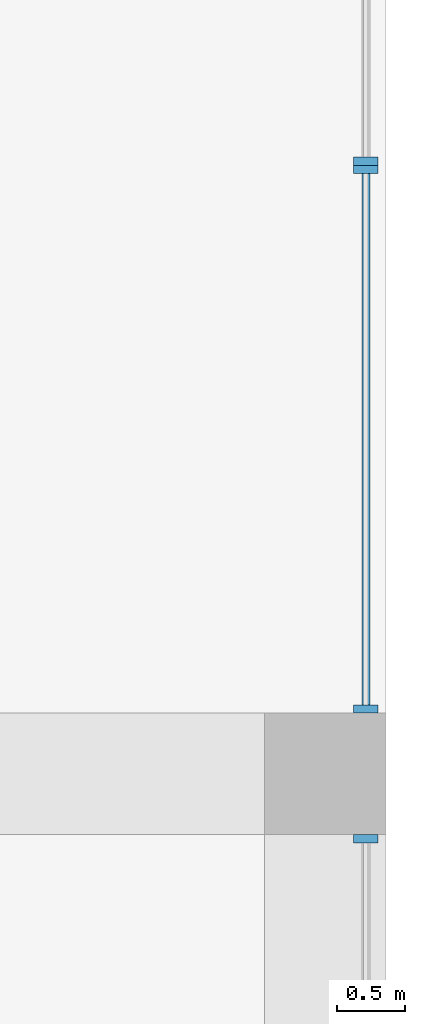
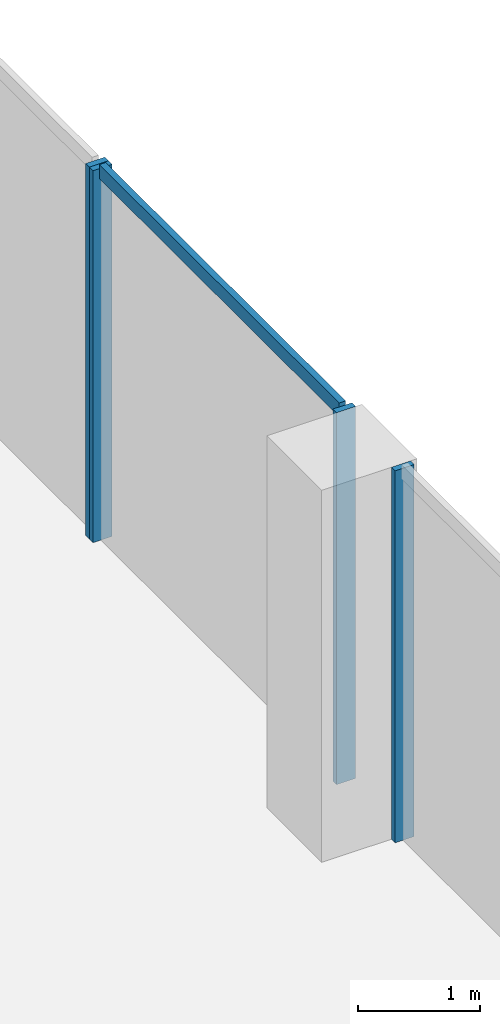
# One storey, part 8 of 20: 5 members, 3 elements without a shape of their own.
"""IFC4 building model written with IfcOpenShell, lengths in metres."""

from ifc_helpers import new_model, si_unit, direction, frame, origin, origin_2d, place, context, subcontext, project, spatial, rectangle, extrude, source, transform, mapped, material, material_profile, profile_set, type_object, element, aggregate, save


model = new_model("IFC4")

# Units and contexts
model_context = context("Model", 3, precision=1e-05, world=origin(), true_north=direction((0.0, 1.0)))
body_context = subcontext(model_context, "Body", "Model", "MODEL_VIEW")
ifc_project = project(units=[si_unit("LENGTHUNIT", "METRE"), si_unit("AREAUNIT", "SQUARE_METRE"), si_unit("VOLUMEUNIT", "CUBIC_METRE"), si_unit("PLANEANGLEUNIT", "RADIAN"), si_unit("MASSUNIT", "GRAM", prefix="KILO")], contexts=[model_context])

# Site, building, storey
site_placement = place(None, origin())
site = spatial("IfcSite", under=ifc_project, at=site_placement, CompositionType="ELEMENT")
building_placement = place(site_placement, origin())
building = spatial("IfcBuilding", under=site, at=building_placement, Name="Kilnfold Tower and Market Hall", CompositionType="ELEMENT")
storey_placement = place(building_placement, frame((0.0, 0.0, 63.199951171875)))
storey = spatial("IfcBuildingStorey", under=building, at=storey_placement, Name="L14", CompositionType="ELEMENT", Elevation=63.199951171875)

# Curtain wall, member
ifc_material_1 = material(Name="Aluminium and double glazing", Category="aluminium")
curtain_wall_type = type_object("IfcCurtainWallType", Name="CW OF1 VALLEY GLAZING", PredefinedType="NOTDEFINED", material=ifc_material_1)
curtain_wall_1_placement = place(storey_placement, origin())
curtain_wall_1 = element("IfcCurtainWall", 1, at=curtain_wall_1_placement, inside=storey, type_object=curtain_wall_type, Name="Curtain wall CW1 L14 E", PredefinedType="NOTDEFINED")
ifc_material_2 = material(Name="Aluminium", Category="aluminium")
ifc_material_profile_1 = material_profile(ifc_material_2, rectangle(XDim=0.06005859375, YDim=0.179931640625, at=origin_2d()), Name="MULLION 60x180")
ifc_profile_set_1 = profile_set([ifc_material_profile_1], Name="Aluminium")
member_type_1 = type_object("IfcMemberType", Name="MULLION 60X180", PredefinedType="MULLION", material=ifc_profile_set_1)
shared_shape_1 = source(origin(), body_context, "Body", "SweptSolid", [
    extrude(rectangle(XDim=0.06005859375, YDim=0.179931640625, at=origin_2d()), origin(), (0.0, 0.0, 1.0), 3.719970703125),
])
member_1_placement = place(storey_placement, frame((32.85009765625, -1.47998046875, 0.0), z_axis=(0.0, 0.0, 1.0), x_axis=(0.0, 1.0, 0.0)))
member_1 = element("IfcMember", 2, at=member_1_placement, type_object=member_type_1, Name="CW1 mullion 2", PredefinedType="MULLION", context=body_context, shape_type="MappedRepresentation", body=[
    mapped(shared_shape_1, transform((0.0, 0.0, 0.0))),
])
aggregate(curtain_wall_1, [member_1])

# Curtain wall, members
curtain_wall_2_placement = place(storey_placement, origin())
curtain_wall_2 = element("IfcCurtainWall", 3, at=curtain_wall_2_placement, inside=storey, type_object=curtain_wall_type, Name="Curtain wall CW1 L14 E", PredefinedType="NOTDEFINED")
member_2_placement = place(storey_placement, frame((32.85009765625, -0.52001953125, 0.0), z_axis=(0.0, 0.0, 1.0), x_axis=(0.0, 1.0, 0.0)))
member_2 = element("IfcMember", 4, at=member_2_placement, type_object=member_type_1, Name="CW1 mullion 1", PredefinedType="MULLION", context=body_context, shape_type="MappedRepresentation", body=[
    mapped(shared_shape_1, transform((0.0, 0.0, 0.0))),
])
member_3_placement = place(storey_placement, frame((32.85009765625, 3.469970703125, 0.0), z_axis=(0.0, 0.0, 1.0), x_axis=(0.0, 1.0, 0.0)))
member_3 = element("IfcMember", 5, at=member_3_placement, type_object=member_type_1, Name="CW1 mullion 2", PredefinedType="MULLION", context=body_context, shape_type="MappedRepresentation", body=[
    mapped(shared_shape_1, transform((0.0, 0.0, 0.0))),
])

# Curtain wall, member
curtain_wall_3_placement = place(storey_placement, origin())
curtain_wall_3 = element("IfcCurtainWall", 6, at=curtain_wall_3_placement, inside=storey, type_object=curtain_wall_type, Name="Curtain wall CW1 L14 E", PredefinedType="NOTDEFINED")
member_4_placement = place(storey_placement, frame((32.85009765625, 3.530029296875, 0.0), z_axis=(0.0, 0.0, 1.0), x_axis=(0.0, 1.0, 0.0)))
member_4 = element("IfcMember", 7, at=member_4_placement, type_object=member_type_1, Name="CW1 mullion 1", PredefinedType="MULLION", context=body_context, shape_type="MappedRepresentation", body=[
    mapped(shared_shape_1, transform((0.0, 0.0, 0.0))),
])
aggregate(curtain_wall_3, [member_4])

# Member
ifc_material_3 = material(Name="Aluminium", Category="aluminium")
ifc_material_profile_2 = material_profile(ifc_material_3, rectangle(XDim=0.06005859375, YDim=0.139892578125, at=origin_2d()), Name="TRANSOM 60x140")
ifc_profile_set_2 = profile_set([ifc_material_profile_2], Name="Aluminium")
member_type_2 = type_object("IfcMemberType", Name="TRANSOM 60X140", PredefinedType="USERDEFINED", material=ifc_profile_set_2)
shared_shape_2 = source(origin(), body_context, "Body", "SweptSolid", [
    extrude(rectangle(XDim=0.06005859375, YDim=0.139892578125, at=origin_2d()), origin(), (0.0, 0.0, 1.0), 3.929931640625),
])
member_5_placement = place(storey_placement, frame((32.85009765625, -0.489990234375, 3.68994140625), z_axis=(0.0, 1.0, 0.0), x_axis=(-1.0, 0.0, 0.0)))
member_5 = element("IfcMember", 8, at=member_5_placement, type_object=member_type_2, Name="CW1 transom 1.2", ObjectType="TRANSOM", PredefinedType="USERDEFINED", context=body_context, shape_type="MappedRepresentation", body=[
    mapped(shared_shape_2, transform((0.0, 0.0, 0.0))),
])

aggregate(curtain_wall_2, [member_2, member_3, member_5])

save(model, "model.ifc")
